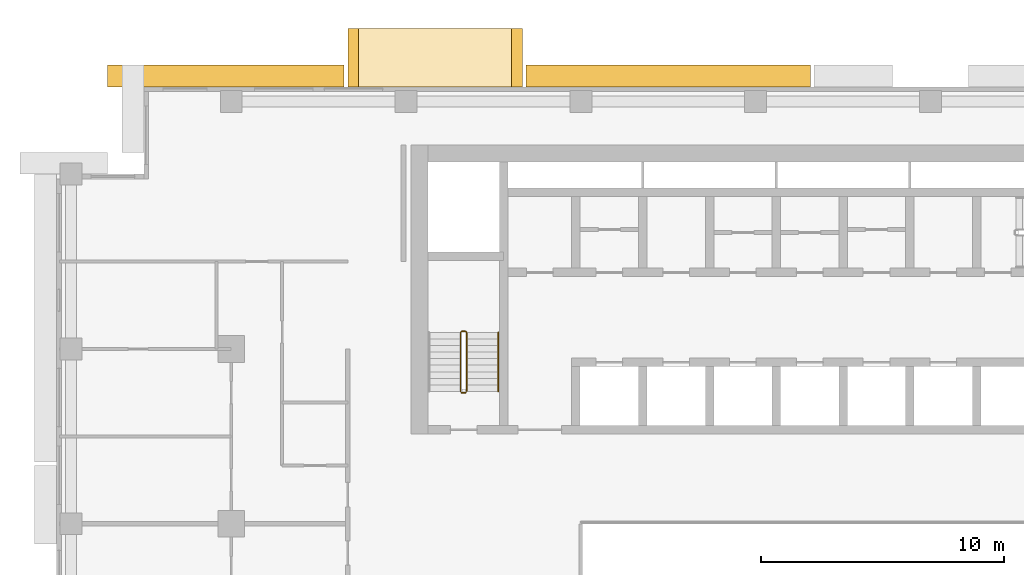
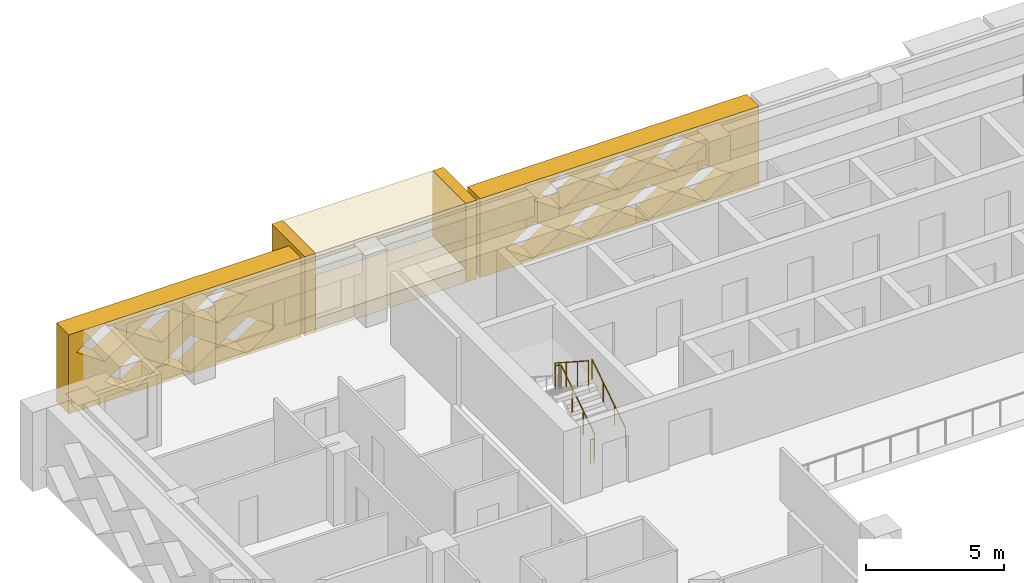
# One storey, part 15 of 17: 6 coverings, 3 railings.
"""IFC4 building model written with IfcOpenShell, lengths in metres."""

from ifc_helpers import new_model, si_unit, direction, frame, origin, origin_2d, place, context, subcontext, project, spatial, polyline, circle, outline, extrude, material, type_object, element, save


model = new_model("IFC4")

# Units and contexts
model_context = context("Model", 3, precision=1e-05, world=origin(), true_north=direction((0.0, 1.0)))
body_context = subcontext(model_context, "Body", "Model", "MODEL_VIEW")
ifc_project = project(units=[si_unit("LENGTHUNIT", "METRE"), si_unit("AREAUNIT", "SQUARE_METRE"), si_unit("VOLUMEUNIT", "CUBIC_METRE"), si_unit("PLANEANGLEUNIT", "RADIAN"), si_unit("MASSUNIT", "GRAM", prefix="KILO")], contexts=[model_context])

# Site, building, storey
site_placement = place(None, origin())
site = spatial("IfcSite", under=ifc_project, at=site_placement, CompositionType="ELEMENT")
building_placement = place(site_placement, origin())
building = spatial("IfcBuilding", under=site, at=building_placement, Name="Saffron Iwan Residences", CompositionType="ELEMENT")
storey_placement = place(building_placement, frame((0.0, 0.0, 113.0)))
storey = spatial("IfcBuildingStorey", under=building, at=storey_placement, Name="L29", CompositionType="ELEMENT", Elevation=113.0)

# Coverings
ifc_material_1 = material(Name="Precast concrete C40/50", Category="concrete")
covering_type_1 = type_object("IfcCoveringType", Name="OUTER SKIN LATTICE SCREEN", PredefinedType="CLADDING", material=ifc_material_1)
covering_1_placement = place(storey_placement, frame((45.449951171875, 80.39990234375, -0.300048828125), z_axis=(0.0, 1.0, 0.0), x_axis=(-1.0, 0.0, 0.0)))
element("IfcCovering", 1, at=covering_1_placement, inside=storey, type_object=covering_type_1, Name="OUTER SKIN lattice screen L29 F5.2", PredefinedType="CLADDING", context=body_context, shape_type="SweptSolid", body=[
    extrude(outline(polyline([(0.0, 0.0), (11.699951171875, 0.0), (11.699951171875, 3.5), (0.0, 3.5), (0.0, 0.0)]), holes=[polyline([(1.070068359375, 0.875), (2.25, 0.06005859375), (3.429931640625, 0.875), (2.25, 1.68994140625), (1.070068359375, 0.875)]), polyline([(3.469970703125, 0.875), (4.64990234375, 0.06005859375), (5.830078125, 0.875), (4.64990234375, 1.68994140625), (3.469970703125, 0.875)]), polyline([(5.8701171875, 0.875), (7.050048828125, 0.06005859375), (8.22998046875, 0.875), (7.050048828125, 1.68994140625), (5.8701171875, 0.875)]), polyline([(8.27001953125, 0.875), (9.449951171875, 0.06005859375), (10.6298828125, 0.875), (9.449951171875, 1.68994140625), (8.27001953125, 0.875)]), polyline([(2.27001953125, 2.625), (3.449951171875, 1.81005859375), (4.6298828125, 2.625), (3.449951171875, 3.43994140625), (2.27001953125, 2.625)]), polyline([(4.669921875, 2.625), (5.85009765625, 1.81005859375), (7.030029296875, 2.625), (5.85009765625, 3.43994140625), (4.669921875, 2.625)]), polyline([(7.070068359375, 2.625), (8.25, 1.81005859375), (9.429931640625, 2.625), (8.25, 3.43994140625), (7.070068359375, 2.625)])]), origin(), (0.0, 0.0, 1.0), 0.900146484375),
])
covering_2_placement = place(storey_placement, frame((26.25, 80.39990234375, -0.300048828125), z_axis=(0.0, 1.0, 0.0), x_axis=(-1.0, 0.0, 0.0)))
element("IfcCovering", 2, at=covering_2_placement, inside=storey, type_object=covering_type_1, Name="OUTER SKIN lattice screen L29 F5.3", PredefinedType="CLADDING", context=body_context, shape_type="SweptSolid", body=[
    extrude(outline(polyline([(0.0, 0.0), (9.75, 0.0), (9.75, 3.5), (0.0, 3.5), (0.0, 0.0)]), holes=[polyline([(1.070068359375, 0.875), (2.25, 0.06005859375), (3.429931640625, 0.875), (2.25, 1.68994140625), (1.070068359375, 0.875)]), polyline([(3.469970703125, 0.875), (4.64990234375, 0.06005859375), (5.830078125, 0.875), (4.64990234375, 1.68994140625), (3.469970703125, 0.875)]), polyline([(5.8701171875, 0.875), (7.050048828125, 0.06005859375), (8.22998046875, 0.875), (7.050048828125, 1.68994140625), (5.8701171875, 0.875)]), polyline([(2.27001953125, 2.625), (3.449951171875, 1.81005859375), (4.6298828125, 2.625), (3.449951171875, 3.43994140625), (2.27001953125, 2.625)]), polyline([(4.669921875, 2.625), (5.85009765625, 1.81005859375), (7.030029296875, 2.625), (5.85009765625, 3.43994140625), (4.669921875, 2.625)]), polyline([(7.070068359375, 2.625), (8.25, 1.81005859375), (9.429931640625, 2.625), (8.25, 3.43994140625), (7.070068359375, 2.625)])]), origin(), (0.0, 0.0, 1.0), 0.900146484375),
])

# Railings
ifc_material_2 = material(Name="Steel S355", Category="steel")
railing_type_1 = type_object("IfcRailingType", Name="Stair guard 1100", PredefinedType="GUARDRAIL", material=ifc_material_2)
railing_1_placement = place(storey_placement, frame((31.300048828125, 67.85009765625, 0.175048828125)))
element("IfcRailing", 3, at=railing_1_placement, inside=storey, type_object=railing_type_1, Name="L29 ST-W stair guard 1", PredefinedType="GUARDRAIL", context=body_context, shape_type="SweptSolid", body=[
    extrude(circle(Radius=0.02392578125, at=origin_2d()), frame((0.0, 0.0, 1.076171875), z_axis=(0.0, 0.839153699163, 0.543894354798), x_axis=(-1.0, 0.0, 0.0)), (0.0, 0.0, 1.0), 2.895751953125),
    extrude(circle(Radius=0.02392578125, at=origin_2d()), frame((0.0, 2.429931640625, 2.65087890625), z_axis=(-0.707106781187, 0.707106781187, 0.0), x_axis=(-0.707106781187, -0.707106781187, 0.0)), (0.0, 0.0, 1.0), 0.07080078125),
    extrude(circle(Radius=0.02392578125, at=origin_2d()), frame((-0.050048828125, 2.47998046875, 2.65087890625), z_axis=(-1.0, 0.0, 0.0), x_axis=(0.0, -1.0, 0.0)), (0.0, 0.0, 1.0), 0.14990234375),
    extrude(circle(Radius=0.02392578125, at=origin_2d()), frame((-0.199951171875, 2.47998046875, 2.65087890625), z_axis=(-0.265065253269, -0.265065253269, 0.927081885822), x_axis=(0.707106781187, -0.707106781187, 0.0)), (0.0, 0.0, 1.0), 0.188720703125),
    extrude(circle(Radius=0.02392578125, at=origin_2d()), frame((-0.25, 2.429931640625, 2.826171875), z_axis=(0.0, -0.839153699163, 0.543894354798), x_axis=(1.0, 0.0, 0.0)), (0.0, 0.0, 1.0), 2.895751953125),
    extrude(circle(Radius=0.02099609375, at=origin_2d()), origin(), (0.0, 0.0, 1.0), 1.052001953125),
    extrude(circle(Radius=0.02099609375, at=origin_2d()), frame((0.0, 0.81005859375, 0.52490234375)), (0.0, 0.0, 1.0), 1.052001953125),
    extrude(circle(Radius=0.02099609375, at=origin_2d()), frame((0.0, 1.619873046875, 1.050048828125)), (0.0, 0.0, 1.0), 1.052001953125),
    extrude(circle(Radius=0.02099609375, at=origin_2d()), frame((0.0, 2.429931640625, 1.574951171875)), (0.0, 0.0, 1.0), 1.052001953125),
    extrude(circle(Radius=0.02099609375, at=origin_2d()), frame((-0.050048828125, 2.47998046875, 1.574951171875)), (0.0, 0.0, 1.0), 1.052001953125),
    extrude(circle(Radius=0.02099609375, at=origin_2d()), frame((-0.199951171875, 2.47998046875, 1.574951171875)), (0.0, 0.0, 1.0), 1.052001953125),
    extrude(circle(Radius=0.02099609375, at=origin_2d()), frame((-0.25, 2.429931640625, 1.75)), (0.0, 0.0, 1.0), 1.052001953125),
    extrude(circle(Radius=0.02099609375, at=origin_2d()), frame((-0.25, 1.619873046875, 2.27490234375)), (0.0, 0.0, 1.0), 1.052001953125),
    extrude(circle(Radius=0.02099609375, at=origin_2d()), frame((-0.25, 0.81005859375, 2.800048828125)), (0.0, 0.0, 1.0), 1.052001953125),
    extrude(circle(Radius=0.02099609375, at=origin_2d()), frame((-0.25, 0.0, 3.324951171875)), (0.0, 0.0, 1.0), 1.052001953125),
])
railing_2_placement = place(storey_placement, frame((31.25, 67.800048828125, 0.0)))
element("IfcRailing", 4, at=railing_2_placement, inside=storey, type_object=railing_type_1, Name="L29 ST-W stair guard 2", PredefinedType="GUARDRAIL", context=body_context, shape_type="SweptSolid", body=[
    extrude(circle(Radius=0.02392578125, at=origin_2d()), frame((0.0, 0.0, 1.076171875), z_axis=(-1.0, 0.0, 0.0), x_axis=(0.0, -1.0, 0.0)), (0.0, 0.0, 1.0), 0.14990234375),
    extrude(circle(Radius=0.02099609375, at=origin_2d()), origin(), (0.0, 0.0, 1.0), 1.052001953125),
    extrude(circle(Radius=0.02099609375, at=origin_2d()), frame((-0.14990234375, 0.0, 0.0)), (0.0, 0.0, 1.0), 1.052001953125),
])
ifc_material_3 = material(Name="Stainless steel 316", Category="steel")
railing_type_2 = type_object("IfcRailingType", Name="Stair handrail 900", PredefinedType="HANDRAIL", material=ifc_material_3)
railing_3_placement = place(storey_placement, frame((32.60009765625, 67.85009765625, 0.175048828125)))
element("IfcRailing", 5, at=railing_3_placement, inside=storey, type_object=railing_type_2, Name="L29 ST-W stair handrail 1", PredefinedType="HANDRAIL", context=body_context, shape_type="SweptSolid", body=[
    extrude(circle(Radius=0.02392578125, at=origin_2d()), frame((0.0, 0.0, 0.8759765625), z_axis=(0.0, 0.839153699163, 0.543894354798), x_axis=(-1.0, 0.0, 0.0)), (0.0, 0.0, 1.0), 2.895751953125),
    extrude(circle(Radius=0.02099609375, at=origin_2d()), origin(), (0.0, 0.0, 1.0), 0.851806640625),
    extrude(circle(Radius=0.02099609375, at=origin_2d()), frame((0.0, 0.81005859375, 0.52490234375)), (0.0, 0.0, 1.0), 0.851806640625),
    extrude(circle(Radius=0.02099609375, at=origin_2d()), frame((0.0, 1.619873046875, 1.050048828125)), (0.0, 0.0, 1.0), 0.851806640625),
    extrude(circle(Radius=0.02099609375, at=origin_2d()), frame((0.0, 2.429931640625, 1.574951171875)), (0.0, 0.0, 1.0), 0.851806640625),
])

# Coverings
ifc_material_4 = material(Name="Precast concrete C40/50 white painted", Category="concrete")
covering_type_2 = type_object("IfcCoveringType", Name="WHITE SUN FRAME PRECAST", PredefinedType="CLADDING", material=ifc_material_4)
for number, where, z_axis, x_axis, name in (
    (6, (33.60009765625, 80.39990234375, -0.300048828125), (0.0, 1.0, 0.0), (-1.0, 0.0, 0.0), "Sun frame L29 F5 49.2a"),
    (7, (26.85009765625, 80.39990234375, -0.300048828125), (0.0, 1.0, 0.0), (-1.0, 0.0, 0.0), "Sun frame L29 F5 49.2b"),
):
    element("IfcCovering", number, at=place(storey_placement, frame(where, z_axis=z_axis, x_axis=x_axis)), inside=storey, type_object=covering_type_2, Name=name, PredefinedType="CLADDING", context=body_context, shape_type="SweptSolid", body=[
        extrude(outline(polyline([(0.0, 0.0), (0.449951171875, 0.0), (0.449951171875, 3.5), (0.0, 3.5), (0.0, 0.0)])), origin(), (0.0, 0.0, 1.0), 2.400146484375),
    ])
for number, where, z_axis, x_axis, name in (
    (8, (33.14990234375, 80.39990234375, 2.60009765625), (0.0, 1.0, 0.0), (-1.0, 0.0, 0.0), "Sun frame L29 F5 49.2h"),
    (9, (33.14990234375, 80.39990234375, -0.300048828125), (0.0, 1.0, 0.0), (-1.0, 0.0, 0.0), "Sun frame L29 F5 49.2s"),
):
    element("IfcCovering", number, at=place(storey_placement, frame(where, z_axis=z_axis, x_axis=x_axis)), inside=storey, type_object=covering_type_2, Name=name, PredefinedType="CLADDING", context=body_context, shape_type="SweptSolid", body=[
        extrude(outline(polyline([(0.0, 0.0), (6.300048828125, 0.0), (6.300048828125, 0.60009765625), (0.0, 0.60009765625), (0.0, 0.0)])), origin(), (0.0, 0.0, 1.0), 2.400146484375),
    ])

save(model, "model.ifc")
